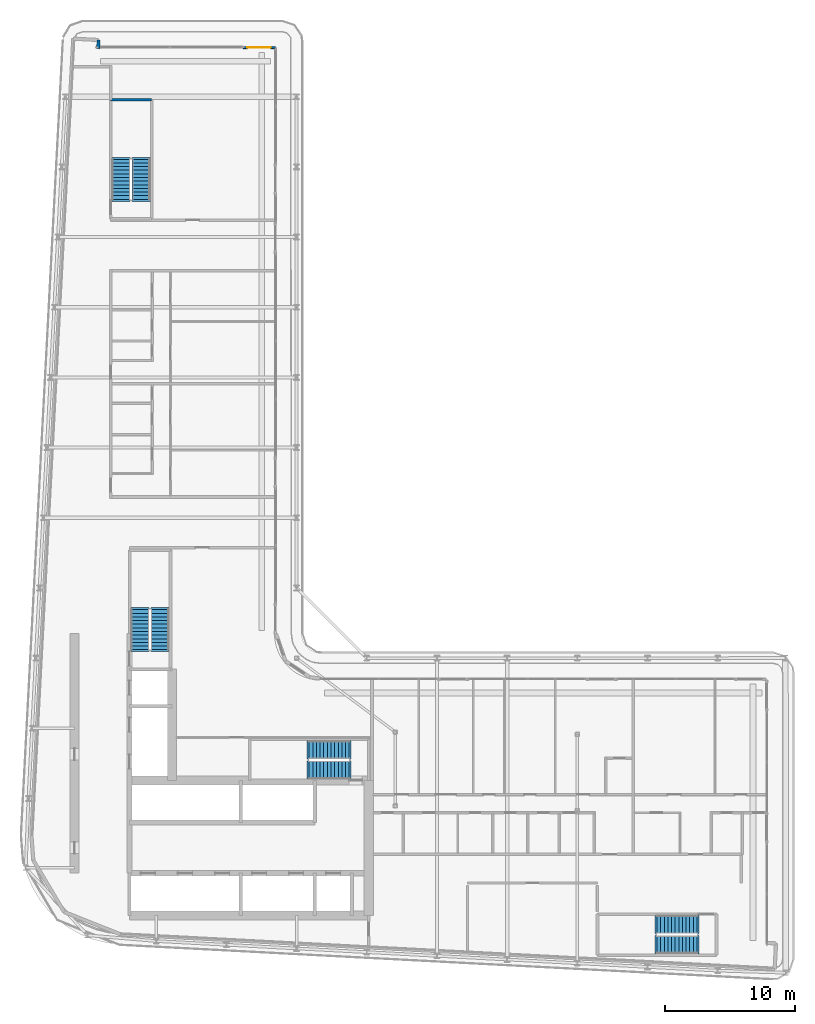
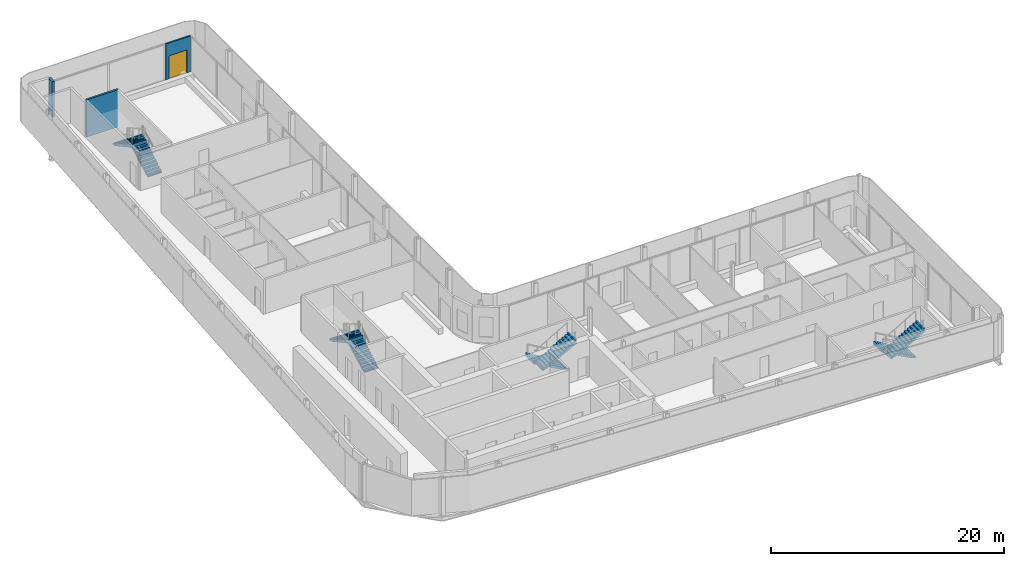
# One storey, part 14 of 21: 8 stair flights, 3 walls, 1 door, 1 opening, 4 elements without a shape of their own.
"""IFC4 building model written with IfcOpenShell, lengths in metres."""

from ifc_helpers import new_model, si_unit, direction, frame, frame_2d, origin, place, context, subcontext, project, spatial, polyline, rectangle, outline, extrude, source, transform, mapped, material, layer, layer_set, type_object, element, fill, aggregate, save


model = new_model("IFC4")

# Units and contexts
model_context = context("Model", 3, precision=1e-05, world=origin(), true_north=direction((0.0, 1.0)))
body_context = subcontext(model_context, "Body", "Model", "MODEL_VIEW")
ifc_project = project(units=[si_unit("LENGTHUNIT", "METRE"), si_unit("AREAUNIT", "SQUARE_METRE"), si_unit("VOLUMEUNIT", "CUBIC_METRE"), si_unit("PLANEANGLEUNIT", "RADIAN"), si_unit("MASSUNIT", "GRAM", prefix="KILO")], contexts=[model_context])

# Site, building, storey
site_placement = place(None, origin())
site = spatial("IfcSite", under=ifc_project, at=site_placement, CompositionType="ELEMENT")
building_placement = place(site_placement, origin())
building = spatial("IfcBuilding", under=site, at=building_placement, Name="Kheshtan School and Residences Tower", CompositionType="ELEMENT")
storey_placement = place(building_placement, frame((0.0, 0.0, 227.89990234375)))
storey = spatial("IfcBuildingStorey", under=building, at=storey_placement, Name="L53", CompositionType="ELEMENT", Elevation=227.89990234375)

# Wall
ifc_material_1 = material(Name="Concrete C40/50 with ceramic cladding and mineral wool insulation", Category="concrete")
ifc_layer_1 = layer(ifc_material_1, 0.25)
ifc_layer_set_1 = layer_set([ifc_layer_1], Name="External wall 250 ceramic clad")
wall_type_1 = type_object("IfcWallType", Name="External wall 250 ceramic clad", PredefinedType="SOLIDWALL", material=ifc_layer_set_1)
wall_1_placement = place(storey_placement, frame((32.368896484375, 93.159912109375, 0.0), z_axis=(0.0, 0.0, 1.0), x_axis=(-0.053729014033, -0.998555553312, 0.0)))
element("IfcWall", 1, at=wall_1_placement, inside=storey, type_object=wall_type_1, Name="External wall L53 2", PredefinedType="SOLIDWALL", context=body_context, shape_type="SweptSolid", body=[
    extrude(rectangle(XDim=0.66796875, YDim=0.25, at=frame_2d((0.333984375, 0.0))), origin(), (0.0, 0.0, 1.0), 3.75),
])

# Wall, opening, door
ifc_material_2 = material(Name="Aluminium frame wall with insulated infill", Category="aluminium")
ifc_layer_2 = layer(ifc_material_2, 0.14990234375)
ifc_layer_set_2 = layer_set([ifc_layer_2], Name="Glazing frame wall 150")
wall_type_2 = type_object("IfcWallType", Name="Glazing frame wall 150", PredefinedType="SOLIDWALL", material=ifc_layer_set_2)
wall_2_placement = place(storey_placement, frame((43.5, 92.574951171875, 0.0), z_axis=(0.0, 0.0, 1.0), x_axis=(1.0, 0.0, 0.0)))
wall_2 = element("IfcWall", 2, at=wall_2_placement, inside=storey, type_object=wall_type_2, Name="Balcony door wall L53 3.1", PredefinedType="SOLIDWALL", context=body_context, shape_type="SweptSolid", body=[
    extrude(rectangle(XDim=2.470947265625, YDim=0.14990234375, at=frame_2d((1.2353515625, 0.0))), origin(), (0.0, 0.0, 1.0), 3.75),
])
opening_placement = place(wall_2_placement, frame((0.300048828125, 0.0, 0.0)))
opening = element("IfcOpeningElement", 3, at=opening_placement, cuts=wall_2, Name="Opening BD", PredefinedType="OPENING", context=body_context, shape_type="SweptSolid", body=[
    extrude(rectangle(XDim=1.800048828125, YDim=2.39990234375, at=frame_2d((0.89990234375, 1.199951171875))), frame((0.0, 0.0849609375, 0.0), z_axis=(0.0, -1.0, 0.0), x_axis=(1.0, 0.0, 0.0)), (0.0, 0.0, 1.0), 0.169921875),
])
ifc_material_3 = material(Name="Clear low-e glass in thermally broken aluminium frame", Category="aluminium")
door_type = type_object("IfcDoorType", Name="Balcony sliding door", OperationType="SLIDING_TO_LEFT", PredefinedType="DOOR", material=ifc_material_3)
shared_shape = source(origin(), body_context, "Body", "SweptSolid", [
    extrude(rectangle(XDim=1.800048828125, YDim=2.39990234375, at=frame_2d((0.89990234375, 1.199951171875))), frame((0.0, 0.02490234375, 0.0), z_axis=(0.0, -1.0, 0.0), x_axis=(1.0, 0.0, 0.0)), (0.0, 0.0, 1.0), 0.050048828125),
])
door_placement = place(opening_placement, origin())
door = element("IfcDoor", 4, at=door_placement, inside=storey, type_object=door_type, Name="Balcony door L53 3.1", OperationType="SLIDING_TO_LEFT", OverallHeight=2.39990234375, OverallWidth=1.800048828125, PredefinedType="DOOR", context=body_context, shape_type="MappedRepresentation", body=[
    mapped(shared_shape, transform((0.0, 0.0, 0.0), x_axis=(1.0, 0.0, 0.0), y_axis=(0.0, 1.0, 0.0), z_axis=(0.0, 0.0, 1.0), scale=1.0)),
])
fill(opening, door)

# Wall
ifc_material_4 = material(Name="Concrete C40/50", Category="concrete")
ifc_layer_3 = layer(ifc_material_4, 0.199951171875)
ifc_layer_set_3 = layer_set([ifc_layer_3], Name="Stair enclosure wall 200 Concrete C40/50")
wall_type_3 = type_object("IfcWallType", Name="Stair enclosure wall 200 Concrete C40/50", PredefinedType="SHEAR", material=ifc_layer_set_3)
wall_3_placement = place(storey_placement, frame((33.300048828125, 88.56005859375, 0.0), z_axis=(0.0, 0.0, 1.0), x_axis=(1.0, 0.0, 0.0)))
element("IfcWall", 5, at=wall_3_placement, inside=storey, type_object=wall_type_3, Name="Stair enclosure wall ST3", PredefinedType="SHEAR", context=body_context, shape_type="SweptSolid", body=[
    extrude(rectangle(XDim=3.14990234375, YDim=0.199951171875, at=frame_2d((1.574951171875, 0.0))), origin(), (0.0, 0.0, 1.0), 3.900146484375),
])

# Stair, stair flights
stair_type = type_object("IfcStairType", Name="Exit stair, half-turn", PredefinedType="HALF_TURN_STAIR", material=ifc_material_4)
stair_1_placement = place(storey_placement, origin())
stair_1 = element("IfcStair", 6, at=stair_1_placement, inside=storey, type_object=stair_type, Name="L53 Protected Exit Stair ST1", PredefinedType="HALF_TURN_STAIR")
ifc_layer_4 = layer(ifc_material_4, 0.14990234375)
ifc_layer_set_4 = layer_set([ifc_layer_4], Name="Stair flight 1400 Concrete C40/50")
stair_flight_type = type_object("IfcStairFlightType", Name="Stair flight 1400 Concrete C40/50", PredefinedType="STRAIGHT", material=ifc_layer_set_4)
stair_flight_1_placement = place(storey_placement, frame((51.64990234375, 38.550048828125, 0.0), z_axis=(0.0, 0.0, 1.0), x_axis=(-1.0, 0.0, 0.0)))
stair_flight_1 = element("IfcStairFlight", 7, at=stair_flight_1_placement, type_object=stair_flight_type, Name="ST1 flight 1", NumberOfRisers=12, NumberOfTreads=11, PredefinedType="STRAIGHT", RiserHeight=0.1625, TreadLength=0.28, context=body_context, shape_type="SweptSolid", body=[
    extrude(outline(polyline([(-0.14990234375, -0.10009765625), (-0.14990234375, 0.0), (0.0, 0.0), (0.0, 0.16259765625), (0.280029296875, 0.16259765625), (0.280029296875, 0.324951171875), (0.56005859375, 0.324951171875), (0.56005859375, 0.487548828125), (0.840087890625, 0.487548828125), (0.840087890625, 0.64990234375), (1.1201171875, 0.64990234375), (1.1201171875, 0.8125), (1.39990234375, 0.8125), (1.39990234375, 0.97509765625), (1.679931640625, 0.97509765625), (1.679931640625, 1.137451171875), (1.9599609375, 1.137451171875), (1.9599609375, 1.300048828125), (2.239990234375, 1.300048828125), (2.239990234375, 1.46240234375), (2.52001953125, 1.46240234375), (2.52001953125, 1.625), (2.800048828125, 1.625), (2.800048828125, 1.78759765625), (3.080078125, 1.78759765625), (3.080078125, 1.949951171875), (3.080078125, 1.969970703125), (3.22998046875, 1.969970703125), (3.22998046875, 1.6142578125), (0.298583984375, 0.0), (-0.14990234375, -0.10009765625)])), frame((0.0, 0.699951171875, 0.0), z_axis=(0.0, -1.0, 0.0), x_axis=(1.0, 0.0, 0.0)), (0.0, 0.0, 1.0), 1.39990234375),
])
stair_flight_2_placement = place(storey_placement, frame((48.570068359375, 37.0, 1.9501953125), z_axis=(0.0, 0.0, 1.0), x_axis=(1.0, 0.0, 0.0)))
stair_flight_2 = element("IfcStairFlight", 8, at=stair_flight_2_placement, type_object=stair_flight_type, Name="ST1 flight 2", NumberOfRisers=12, NumberOfTreads=11, PredefinedType="STRAIGHT", RiserHeight=0.1625, TreadLength=0.28, context=body_context, shape_type="SweptSolid", body=[
    extrude(outline(polyline([(-0.14990234375, -0.10009765625), (-0.14990234375, 0.0), (0.0, 0.0), (0.0, 0.16259765625), (0.280029296875, 0.16259765625), (0.280029296875, 0.324951171875), (0.56005859375, 0.324951171875), (0.56005859375, 0.487548828125), (0.840087890625, 0.487548828125), (0.840087890625, 0.64990234375), (1.1201171875, 0.64990234375), (1.1201171875, 0.8125), (1.39990234375, 0.8125), (1.39990234375, 0.97509765625), (1.679931640625, 0.97509765625), (1.679931640625, 1.137451171875), (1.9599609375, 1.137451171875), (1.9599609375, 1.300048828125), (2.239990234375, 1.300048828125), (2.239990234375, 1.46240234375), (2.52001953125, 1.46240234375), (2.52001953125, 1.625), (2.800048828125, 1.625), (2.800048828125, 1.78759765625), (3.080078125, 1.78759765625), (3.080078125, 1.949951171875), (3.080078125, 1.969970703125), (3.22998046875, 1.969970703125), (3.22998046875, 1.6142578125), (0.298583984375, 0.0), (-0.14990234375, -0.10009765625)])), frame((0.0, 0.699951171875, 0.0), z_axis=(0.0, -1.0, 0.0), x_axis=(1.0, 0.0, 0.0)), (0.0, 0.0, 1.0), 1.39990234375),
])
aggregate(stair_1, [stair_flight_1, stair_flight_2])

stair_2_placement = place(storey_placement, origin())
stair_2 = element("IfcStair", 9, at=stair_2_placement, inside=storey, type_object=stair_type, Name="L53 Protected Exit Stair ST2", PredefinedType="HALF_TURN_STAIR")
stair_flight_3_placement = place(storey_placement, frame((37.10009765625, 46.25, 0.0), z_axis=(0.0, 0.0, 1.0), x_axis=(0.0, 1.0, 0.0)))
stair_flight_3 = element("IfcStairFlight", 10, at=stair_flight_3_placement, type_object=stair_flight_type, Name="ST2 flight 1", NumberOfRisers=12, NumberOfTreads=11, PredefinedType="STRAIGHT", RiserHeight=0.1625, TreadLength=0.28, context=body_context, shape_type="SweptSolid", body=[
    extrude(outline(polyline([(-0.14990234375, -0.10009765625), (-0.14990234375, 0.0), (0.0, 0.0), (0.0, 0.16259765625), (0.280029296875, 0.16259765625), (0.280029296875, 0.324951171875), (0.56005859375, 0.324951171875), (0.56005859375, 0.487548828125), (0.840087890625, 0.487548828125), (0.840087890625, 0.64990234375), (1.1201171875, 0.64990234375), (1.1201171875, 0.8125), (1.39990234375, 0.8125), (1.39990234375, 0.97509765625), (1.679931640625, 0.97509765625), (1.679931640625, 1.137451171875), (1.9599609375, 1.137451171875), (1.9599609375, 1.300048828125), (2.239990234375, 1.300048828125), (2.239990234375, 1.46240234375), (2.52001953125, 1.46240234375), (2.52001953125, 1.625), (2.800048828125, 1.625), (2.800048828125, 1.78759765625), (3.080078125, 1.78759765625), (3.080078125, 1.949951171875), (3.080078125, 1.969970703125), (3.22998046875, 1.969970703125), (3.22998046875, 1.6142578125), (0.298583984375, 0.0), (-0.14990234375, -0.10009765625)])), frame((0.0, 0.699951171875, 0.0), z_axis=(0.0, -1.0, 0.0), x_axis=(1.0, 0.0, 0.0)), (0.0, 0.0, 1.0), 1.39990234375),
])
stair_flight_4_placement = place(storey_placement, frame((35.550048828125, 49.330078125, 1.9501953125), z_axis=(0.0, 0.0, 1.0), x_axis=(0.0, -1.0, 0.0)))
stair_flight_4 = element("IfcStairFlight", 11, at=stair_flight_4_placement, type_object=stair_flight_type, Name="ST2 flight 2", NumberOfRisers=12, NumberOfTreads=11, PredefinedType="STRAIGHT", RiserHeight=0.1625, TreadLength=0.28, context=body_context, shape_type="SweptSolid", body=[
    extrude(outline(polyline([(-0.14990234375, -0.10009765625), (-0.14990234375, 0.0), (0.0, 0.0), (0.0, 0.16259765625), (0.280029296875, 0.16259765625), (0.280029296875, 0.324951171875), (0.56005859375, 0.324951171875), (0.56005859375, 0.487548828125), (0.840087890625, 0.487548828125), (0.840087890625, 0.64990234375), (1.1201171875, 0.64990234375), (1.1201171875, 0.8125), (1.39990234375, 0.8125), (1.39990234375, 0.97509765625), (1.679931640625, 0.97509765625), (1.679931640625, 1.137451171875), (1.9599609375, 1.137451171875), (1.9599609375, 1.300048828125), (2.239990234375, 1.300048828125), (2.239990234375, 1.46240234375), (2.52001953125, 1.46240234375), (2.52001953125, 1.625), (2.800048828125, 1.625), (2.800048828125, 1.78759765625), (3.080078125, 1.78759765625), (3.080078125, 1.949951171875), (3.080078125, 1.969970703125), (3.22998046875, 1.969970703125), (3.22998046875, 1.6142578125), (0.298583984375, 0.0), (-0.14990234375, -0.10009765625)])), frame((0.0, 0.699951171875, 0.0), z_axis=(0.0, -1.0, 0.0), x_axis=(1.0, 0.0, 0.0)), (0.0, 0.0, 1.0), 1.39990234375),
])
aggregate(stair_2, [stair_flight_3, stair_flight_4])

stair_3_placement = place(storey_placement, origin())
stair_3 = element("IfcStair", 12, at=stair_3_placement, inside=storey, type_object=stair_type, Name="L53 Protected Exit Stair ST3", PredefinedType="HALF_TURN_STAIR")
stair_flight_5_placement = place(storey_placement, frame((35.64990234375, 80.89990234375, 0.0), z_axis=(0.0, 0.0, 1.0), x_axis=(0.0, 1.0, 0.0)))
stair_flight_5 = element("IfcStairFlight", 13, at=stair_flight_5_placement, type_object=stair_flight_type, Name="ST3 flight 1", NumberOfRisers=12, NumberOfTreads=11, PredefinedType="STRAIGHT", RiserHeight=0.1625, TreadLength=0.28, context=body_context, shape_type="SweptSolid", body=[
    extrude(outline(polyline([(-0.14990234375, -0.10009765625), (-0.14990234375, 0.0), (0.0, 0.0), (0.0, 0.16259765625), (0.280029296875, 0.16259765625), (0.280029296875, 0.324951171875), (0.56005859375, 0.324951171875), (0.56005859375, 0.487548828125), (0.840087890625, 0.487548828125), (0.840087890625, 0.64990234375), (1.1201171875, 0.64990234375), (1.1201171875, 0.8125), (1.39990234375, 0.8125), (1.39990234375, 0.97509765625), (1.679931640625, 0.97509765625), (1.679931640625, 1.137451171875), (1.9599609375, 1.137451171875), (1.9599609375, 1.300048828125), (2.239990234375, 1.300048828125), (2.239990234375, 1.46240234375), (2.52001953125, 1.46240234375), (2.52001953125, 1.625), (2.800048828125, 1.625), (2.800048828125, 1.78759765625), (3.080078125, 1.78759765625), (3.080078125, 1.949951171875), (3.080078125, 1.969970703125), (3.22998046875, 1.969970703125), (3.22998046875, 1.6142578125), (0.298583984375, 0.0), (-0.14990234375, -0.10009765625)])), frame((0.0, 0.699951171875, 0.0), z_axis=(0.0, -1.0, 0.0), x_axis=(1.0, 0.0, 0.0)), (0.0, 0.0, 1.0), 1.39990234375),
])
stair_flight_6_placement = place(storey_placement, frame((34.10009765625, 83.97998046875, 1.9501953125), z_axis=(0.0, 0.0, 1.0), x_axis=(0.0, -1.0, 0.0)))
stair_flight_6 = element("IfcStairFlight", 14, at=stair_flight_6_placement, type_object=stair_flight_type, Name="ST3 flight 2", NumberOfRisers=12, NumberOfTreads=11, PredefinedType="STRAIGHT", RiserHeight=0.1625, TreadLength=0.28, context=body_context, shape_type="SweptSolid", body=[
    extrude(outline(polyline([(-0.14990234375, -0.10009765625), (-0.14990234375, 0.0), (0.0, 0.0), (0.0, 0.16259765625), (0.280029296875, 0.16259765625), (0.280029296875, 0.324951171875), (0.56005859375, 0.324951171875), (0.56005859375, 0.487548828125), (0.840087890625, 0.487548828125), (0.840087890625, 0.64990234375), (1.1201171875, 0.64990234375), (1.1201171875, 0.8125), (1.39990234375, 0.8125), (1.39990234375, 0.97509765625), (1.679931640625, 0.97509765625), (1.679931640625, 1.137451171875), (1.9599609375, 1.137451171875), (1.9599609375, 1.300048828125), (2.239990234375, 1.300048828125), (2.239990234375, 1.46240234375), (2.52001953125, 1.46240234375), (2.52001953125, 1.625), (2.800048828125, 1.625), (2.800048828125, 1.78759765625), (3.080078125, 1.78759765625), (3.080078125, 1.949951171875), (3.080078125, 1.969970703125), (3.22998046875, 1.969970703125), (3.22998046875, 1.6142578125), (0.298583984375, 0.0), (-0.14990234375, -0.10009765625)])), frame((0.0, 0.699951171875, 0.0), z_axis=(0.0, -1.0, 0.0), x_axis=(1.0, 0.0, 0.0)), (0.0, 0.0, 1.0), 1.39990234375),
])
aggregate(stair_3, [stair_flight_5, stair_flight_6])

stair_4_placement = place(storey_placement, origin())
stair_4 = element("IfcStair", 15, at=stair_4_placement, inside=storey, type_object=stair_type, Name="L53 Protected Exit Stair ST5", PredefinedType="HALF_TURN_STAIR")
stair_flight_7_placement = place(storey_placement, frame((78.409912109375, 25.10009765625, 0.0), z_axis=(0.0, 0.0, 1.0), x_axis=(-1.0, 0.0, 0.0)))
stair_flight_7 = element("IfcStairFlight", 16, at=stair_flight_7_placement, type_object=stair_flight_type, Name="ST5 flight 1", NumberOfRisers=12, NumberOfTreads=11, PredefinedType="STRAIGHT", RiserHeight=0.1625, TreadLength=0.28, context=body_context, shape_type="SweptSolid", body=[
    extrude(outline(polyline([(-0.14990234375, -0.10009765625), (-0.14990234375, 0.0), (0.0, 0.0), (0.0, 0.16259765625), (0.280029296875, 0.16259765625), (0.280029296875, 0.324951171875), (0.56005859375, 0.324951171875), (0.56005859375, 0.487548828125), (0.840087890625, 0.487548828125), (0.840087890625, 0.64990234375), (1.1201171875, 0.64990234375), (1.1201171875, 0.8125), (1.39990234375, 0.8125), (1.39990234375, 0.97509765625), (1.679931640625, 0.97509765625), (1.679931640625, 1.137451171875), (1.9599609375, 1.137451171875), (1.9599609375, 1.300048828125), (2.239990234375, 1.300048828125), (2.239990234375, 1.46240234375), (2.52001953125, 1.46240234375), (2.52001953125, 1.625), (2.800048828125, 1.625), (2.800048828125, 1.78759765625), (3.080078125, 1.78759765625), (3.080078125, 1.949951171875), (3.080078125, 1.969970703125), (3.22998046875, 1.969970703125), (3.22998046875, 1.6142578125), (0.298583984375, 0.0), (-0.14990234375, -0.10009765625)])), frame((0.0, 0.699951171875, 0.0), z_axis=(0.0, -1.0, 0.0), x_axis=(1.0, 0.0, 0.0)), (0.0, 0.0, 1.0), 1.39990234375),
])
stair_flight_8_placement = place(storey_placement, frame((75.330078125, 23.550048828125, 1.9501953125), z_axis=(0.0, 0.0, 1.0), x_axis=(1.0, 0.0, 0.0)))
stair_flight_8 = element("IfcStairFlight", 17, at=stair_flight_8_placement, type_object=stair_flight_type, Name="ST5 flight 2", NumberOfRisers=12, NumberOfTreads=11, PredefinedType="STRAIGHT", RiserHeight=0.1625, TreadLength=0.28, context=body_context, shape_type="SweptSolid", body=[
    extrude(outline(polyline([(-0.14990234375, -0.10009765625), (-0.14990234375, 0.0), (0.0, 0.0), (0.0, 0.16259765625), (0.280029296875, 0.16259765625), (0.280029296875, 0.324951171875), (0.56005859375, 0.324951171875), (0.56005859375, 0.487548828125), (0.840087890625, 0.487548828125), (0.840087890625, 0.64990234375), (1.1201171875, 0.64990234375), (1.1201171875, 0.8125), (1.39990234375, 0.8125), (1.39990234375, 0.97509765625), (1.679931640625, 0.97509765625), (1.679931640625, 1.137451171875), (1.9599609375, 1.137451171875), (1.9599609375, 1.300048828125), (2.239990234375, 1.300048828125), (2.239990234375, 1.46240234375), (2.52001953125, 1.46240234375), (2.52001953125, 1.625), (2.800048828125, 1.625), (2.800048828125, 1.78759765625), (3.080078125, 1.78759765625), (3.080078125, 1.949951171875), (3.080078125, 1.969970703125), (3.22998046875, 1.969970703125), (3.22998046875, 1.6142578125), (0.298583984375, 0.0), (-0.14990234375, -0.10009765625)])), frame((0.0, 0.699951171875, 0.0), z_axis=(0.0, -1.0, 0.0), x_axis=(1.0, 0.0, 0.0)), (0.0, 0.0, 1.0), 1.39990234375),
])
aggregate(stair_4, [stair_flight_7, stair_flight_8])

save(model, "model.ifc")
